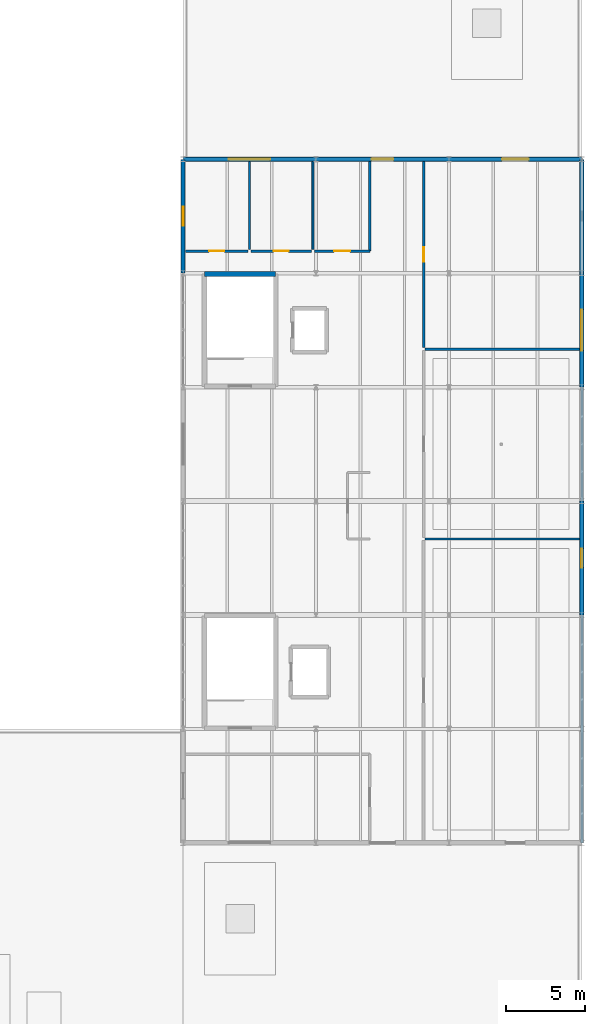
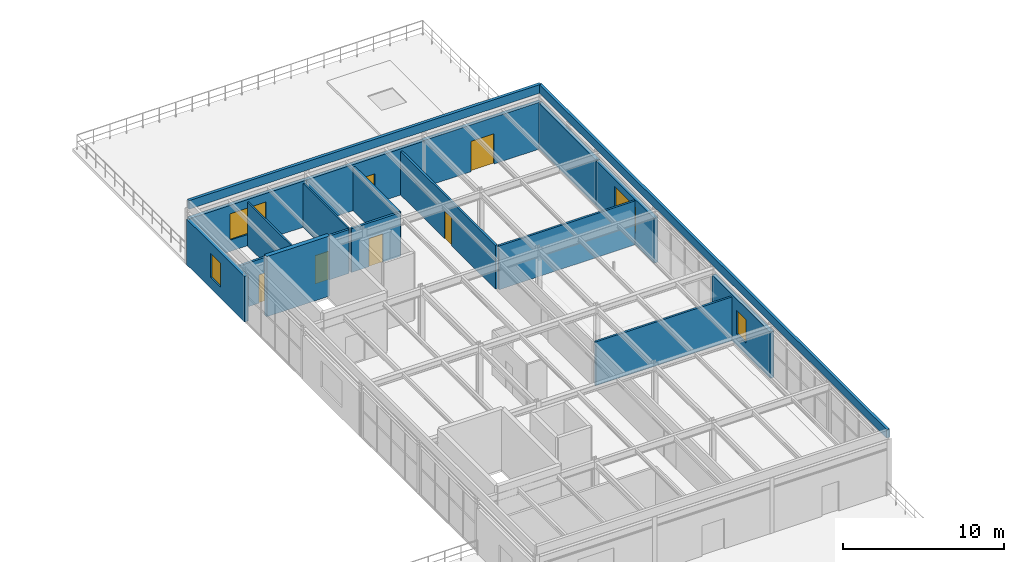
# One storey, part 75 of 77: 19 walls, 6 doors, 4 windows, 10 openings.
"""IFC4 building model written with IfcOpenShell, lengths in metres."""

from ifc_helpers import new_model, si_unit, derived_unit, direction, frame, frame_2d, origin, place, context, subcontext, project, spatial, rectangle, extrude, material, layer, layer_set, type_object, element, fill, save


model = new_model("IFC4")

# Units and contexts
model_context = context("Model", 3, precision=1e-05, world=origin(), true_north=direction((0.0, 1.0)))
body_context = subcontext(model_context, "Body", "Model", "MODEL_VIEW")
ifc_project = project(units=[si_unit("LENGTHUNIT", "METRE"), si_unit("AREAUNIT", "SQUARE_METRE"), si_unit("VOLUMEUNIT", "CUBIC_METRE"), si_unit("PLANEANGLEUNIT", "RADIAN"), si_unit("MASSUNIT", "GRAM", prefix="KILO"), derived_unit("THERMALTRANSMITTANCEUNIT", [(si_unit("MASSUNIT", "GRAM", prefix="KILO"), 1), (si_unit("TIMEUNIT", "SECOND"), -3), (si_unit("THERMODYNAMICTEMPERATUREUNIT", "KELVIN"), -1)])], contexts=[model_context])

# Site, building, storey
site_placement = place(None, origin())
site = spatial("IfcSite", under=ifc_project, at=site_placement, CompositionType="ELEMENT")
building_placement = place(site_placement, origin())
building = spatial("IfcBuilding", under=site, at=building_placement, Name="Kharveza Railside Sports Centre", CompositionType="ELEMENT")
storey_placement = place(building_placement, frame((0.0, 0.0, 17.10009765625)))
storey = spatial("IfcBuildingStorey", under=building, at=storey_placement, Name="L04", CompositionType="ELEMENT", Elevation=17.10009765625)

# Wall
ifc_material_1 = material(Name="Concrete C35/45", Category="concrete")
ifc_layer_1 = layer(ifc_material_1, 0.300048828125, Name="Concrete C35/45")
ifc_layer_set_1 = layer_set([ifc_layer_1], Name="Concrete C35/45")
wall_type_1 = type_object("IfcWallType", Name="WL-CR300", PredefinedType="SHEAR", material=ifc_layer_set_1)
wall_1_placement = place(storey_placement, frame((148.64990234375, 64.75, 0.0), z_axis=(0.0, 0.0, 1.0), x_axis=(-1.0, 0.0, 0.0)))
element("IfcWall", 1, at=wall_1_placement, inside=storey, type_object=wall_type_1, Name="WL-CORE-ST2-L04-N", PredefinedType="SHEAR", context=body_context, shape_type="SweptSolid", body=[
    extrude(rectangle(XDim=4.5, YDim=0.300048828125, at=frame_2d((2.25, 0.0))), origin(), (0.0, 0.0, 1.0), 4.559814453125),
])

# Wall, opening, window
ifc_material_2 = material(Name="Precast concrete C40/50", Category="concrete")
ifc_layer_2 = layer(ifc_material_2, 0.27001953125, Name="Precast concrete C40/50")
ifc_layer_set_2 = layer_set([ifc_layer_2], Name="Precast concrete C40/50")
wall_type_2 = type_object("IfcWallType", Name="WL-EX270", PredefinedType="STANDARD", material=ifc_layer_set_2)
wall_2_placement = place(storey_placement, frame((168.0, 43.199951171875, 0.0), z_axis=(0.0, 0.0, 1.0), x_axis=(0.0, 1.0, 0.0)))
wall_2 = element("IfcWall", 2, at=wall_2_placement, inside=storey, type_object=wall_type_2, Name="WL-EXT-L04-247", PredefinedType="STANDARD", context=body_context, shape_type="SweptSolid", body=[
    extrude(rectangle(XDim=7.199951171875, YDim=0.27001953125, at=frame_2d((3.60009765625, 0.0))), origin(), (0.0, 0.0, 1.0), 3.494873046875),
])
opening_1_placement = place(wall_2_placement, frame((3.0, 0.0, 0.85009765625)))
opening_1 = element("IfcOpeningElement", 3, at=opening_1_placement, cuts=wall_2, Name="Opening WN07", PredefinedType="OPENING", context=body_context, shape_type="SweptSolid", body=[
    extrude(rectangle(XDim=1.199951171875, YDim=1.800048828125, at=frame_2d((0.60009765625, 0.89990234375))), frame((0.0, 0.159912109375, 0.0), z_axis=(0.0, -1.0, 0.0), x_axis=(1.0, 0.0, 0.0)), (0.0, 0.0, 1.0), 0.31982421875),
])
ifc_material_3 = material(Name="Low-E solar-control laminated glass", Category="glass")
window_type_1 = type_object("IfcWindowType", Name="WN-F07", PartitioningType="SINGLE_PANEL", PredefinedType="WINDOW", material=ifc_material_3)
window_1_placement = place(opening_1_placement, origin())
window_1 = element("IfcWindow", 4, at=window_1_placement, inside=storey, type_object=window_type_1, Name="WN-EXT-L04-145", OverallHeight=1.800048828125, OverallWidth=1.199951171875, PartitioningType="SINGLE_PANEL", PredefinedType="WINDOW", context=body_context, shape_type="SweptSolid", body=[
    extrude(rectangle(XDim=1.199951171875, YDim=1.800048828125, at=frame_2d((0.60009765625, 0.89990234375))), frame((0.0, 0.030029296875, 0.0), z_axis=(0.0, -1.0, 0.0), x_axis=(1.0, 0.0, 0.0)), (0.0, 0.0, 1.0), 0.06005859375),
])
fill(opening_1, window_1)

wall_3_placement = place(storey_placement, frame((168.0, 57.60009765625, 0.0), z_axis=(0.0, 0.0, 1.0), x_axis=(0.0, 1.0, 0.0)))
wall_3 = element("IfcWall", 5, at=wall_3_placement, inside=storey, type_object=wall_type_2, Name="WL-EXT-L04-248", PredefinedType="STANDARD", context=body_context, shape_type="SweptSolid", body=[
    extrude(rectangle(XDim=7.199951171875, YDim=0.27001953125, at=frame_2d((3.60009765625, 0.0))), origin(), (0.0, 0.0, 1.0), 3.39501953125),
])
opening_2_placement = place(wall_3_placement, frame((2.300048828125, 0.0, 0.85009765625)))
opening_2 = element("IfcOpeningElement", 6, at=opening_2_placement, cuts=wall_3, Name="Opening WN16", PredefinedType="OPENING", context=body_context, shape_type="SweptSolid", body=[
    extrude(rectangle(XDim=2.60009765625, YDim=2.0, at=frame_2d((1.300048828125, 1.0))), frame((0.0, 0.159912109375, 0.0), z_axis=(0.0, -1.0, 0.0), x_axis=(1.0, 0.0, 0.0)), (0.0, 0.0, 1.0), 0.31982421875),
])
window_type_2 = type_object("IfcWindowType", Name="WN-F16", PartitioningType="SINGLE_PANEL", PredefinedType="WINDOW", material=ifc_material_3)
window_2_placement = place(opening_2_placement, origin())
window_2 = element("IfcWindow", 7, at=window_2_placement, inside=storey, type_object=window_type_2, Name="WN-EXT-L04-146", OverallHeight=2.0, OverallWidth=2.60009765625, PartitioningType="SINGLE_PANEL", PredefinedType="WINDOW", context=body_context, shape_type="SweptSolid", body=[
    extrude(rectangle(XDim=2.60009765625, YDim=2.0, at=frame_2d((1.300048828125, 1.0))), frame((0.0, 0.030029296875, 0.0), z_axis=(0.0, -1.0, 0.0), x_axis=(1.0, 0.0, 0.0)), (0.0, 0.0, 1.0), 0.06005859375),
])
fill(opening_2, window_2)

# Wall
wall_4_placement = place(storey_placement, frame((168.0, 64.800048828125, 0.0), z_axis=(0.0, 0.0, 1.0), x_axis=(0.0, 1.0, 0.0)))
element("IfcWall", 8, at=wall_4_placement, inside=storey, type_object=wall_type_2, Name="WL-EXT-L04-249", PredefinedType="STANDARD", context=body_context, shape_type="SweptSolid", body=[
    extrude(rectangle(XDim=7.199951171875, YDim=0.27001953125, at=frame_2d((3.60009765625, 0.0))), origin(), (0.0, 0.0, 1.0), 3.44482421875),
])

# Wall, opening, door
wall_5_placement = place(storey_placement, frame((168.0, 72.0, 0.0), z_axis=(0.0, 0.0, 1.0), x_axis=(-1.0, 0.0, 0.0)))
wall_5 = element("IfcWall", 9, at=wall_5_placement, inside=storey, type_object=wall_type_2, Name="WL-EXT-L04-250", PredefinedType="STANDARD", context=body_context, shape_type="SweptSolid", body=[
    extrude(rectangle(XDim=8.39990234375, YDim=0.27001953125, at=frame_2d((4.199951171875, 0.0))), origin(), (0.0, 0.0, 1.0), 3.544921875),
])
opening_3_placement = place(wall_5_placement, frame((3.360107421875, 0.0, 0.0)))
opening_3 = element("IfcOpeningElement", 10, at=opening_3_placement, cuts=wall_5, Name="Opening D33", PredefinedType="OPENING", context=body_context, shape_type="SweptSolid", body=[
    extrude(rectangle(XDim=1.679931640625, YDim=2.300048828125, at=frame_2d((0.83984375, 1.14990234375))), frame((0.0, 0.159912109375, 0.0), z_axis=(0.0, -1.0, 0.0), x_axis=(1.0, 0.0, 0.0)), (0.0, 0.0, 1.0), 0.31982421875),
])
ifc_material_4 = material(Name="Anodised aluminium 6063-T6", Category="aluminium")
door_type_1 = type_object("IfcDoorType", Name="DR-Z09", OperationType="NOTDEFINED", PredefinedType="DOOR", material=ifc_material_4)
door_1_placement = place(opening_3_placement, frame((1.679931640625, 0.0, 0.0), z_axis=(0.0, 0.0, 1.0), x_axis=(-1.0, 0.0, 0.0)))
door_1 = element("IfcDoor", 11, at=door_1_placement, inside=storey, type_object=door_type_1, Name="DR-TERR-L04-043", OperationType="SINGLE_SWING_LEFT", OverallHeight=2.300048828125, OverallWidth=1.679931640625, PredefinedType="DOOR", context=body_context, shape_type="SweptSolid", body=[
    extrude(rectangle(XDim=1.679931640625, YDim=2.300048828125, at=frame_2d((0.83984375, 1.14990234375))), frame((0.0, 0.02490234375, 0.0), z_axis=(0.0, -1.0, 0.0), x_axis=(1.0, 0.0, 0.0)), (0.0, 0.0, 1.0), 0.050048828125),
])
fill(opening_3, door_1)

wall_6_placement = place(storey_placement, frame((159.60009765625, 72.0, 0.0), z_axis=(0.0, 0.0, 1.0), x_axis=(-1.0, 0.0, 0.0)))
wall_6 = element("IfcWall", 12, at=wall_6_placement, inside=storey, type_object=wall_type_2, Name="WL-EXT-L04-251", PredefinedType="STANDARD", context=body_context, shape_type="SweptSolid", body=[
    extrude(rectangle(XDim=8.400146484375, YDim=0.27001953125, at=frame_2d((4.2001953125, 0.0))), origin(), (0.0, 0.0, 1.0), 3.494873046875),
])
opening_4_placement = place(wall_6_placement, frame((3.510009765625, 0.0, 0.0)))
opening_4 = element("IfcOpeningElement", 13, at=opening_4_placement, cuts=wall_6, Name="Opening D34", PredefinedType="OPENING", context=body_context, shape_type="SweptSolid", body=[
    extrude(rectangle(XDim=1.3798828125, YDim=2.25, at=frame_2d((0.68994140625, 1.125))), frame((0.0, 0.159912109375, 0.0), z_axis=(0.0, -1.0, 0.0), x_axis=(1.0, 0.0, 0.0)), (0.0, 0.0, 1.0), 0.31982421875),
])
door_type_2 = type_object("IfcDoorType", Name="DR-Z10", OperationType="NOTDEFINED", PredefinedType="DOOR", material=ifc_material_4)
door_2_placement = place(opening_4_placement, frame((1.3798828125, 0.0, 0.0), z_axis=(0.0, 0.0, 1.0), x_axis=(-1.0, 0.0, 0.0)))
door_2 = element("IfcDoor", 14, at=door_2_placement, inside=storey, type_object=door_type_2, Name="DR-TERR-L04-044", OperationType="SINGLE_SWING_RIGHT", OverallHeight=2.25, OverallWidth=1.3798828125, PredefinedType="DOOR", context=body_context, shape_type="SweptSolid", body=[
    extrude(rectangle(XDim=1.3798828125, YDim=2.25, at=frame_2d((0.68994140625, 1.125))), frame((0.0, 0.02490234375, 0.0), z_axis=(0.0, -1.0, 0.0), x_axis=(1.0, 0.0, 0.0)), (0.0, 0.0, 1.0), 0.050048828125),
])
fill(opening_4, door_2)

# Wall, opening, window
wall_7_placement = place(storey_placement, frame((151.199951171875, 72.0, 0.0), z_axis=(0.0, 0.0, 1.0), x_axis=(-1.0, 0.0, 0.0)))
wall_7 = element("IfcWall", 15, at=wall_7_placement, inside=storey, type_object=wall_type_2, Name="WL-EXT-L04-252", PredefinedType="STANDARD", context=body_context, shape_type="SweptSolid", body=[
    extrude(rectangle(XDim=8.39990234375, YDim=0.27001953125, at=frame_2d((4.199951171875, 0.0))), origin(), (0.0, 0.0, 1.0), 3.494873046875),
])
opening_5_placement = place(wall_7_placement, frame((2.89990234375, 0.0, 0.85009765625)))
opening_5 = element("IfcOpeningElement", 16, at=opening_5_placement, cuts=wall_7, Name="Opening WN16", PredefinedType="OPENING", context=body_context, shape_type="SweptSolid", body=[
    extrude(rectangle(XDim=2.60009765625, YDim=2.0, at=frame_2d((1.300048828125, 1.0))), frame((0.0, 0.159912109375, 0.0), z_axis=(0.0, -1.0, 0.0), x_axis=(1.0, 0.0, 0.0)), (0.0, 0.0, 1.0), 0.31982421875),
])
window_3_placement = place(opening_5_placement, origin())
window_3 = element("IfcWindow", 17, at=window_3_placement, inside=storey, type_object=window_type_2, Name="WN-EXT-L04-147", OverallHeight=2.0, OverallWidth=2.60009765625, PartitioningType="SINGLE_PANEL", PredefinedType="WINDOW", context=body_context, shape_type="SweptSolid", body=[
    extrude(rectangle(XDim=2.60009765625, YDim=2.0, at=frame_2d((1.300048828125, 1.0))), frame((0.0, 0.030029296875, 0.0), z_axis=(0.0, -1.0, 0.0), x_axis=(1.0, 0.0, 0.0)), (0.0, 0.0, 1.0), 0.06005859375),
])
fill(opening_5, window_3)

wall_8_placement = place(storey_placement, frame((142.800048828125, 72.0, 0.0), z_axis=(0.0, 0.0, 1.0), x_axis=(0.0, -1.0, 0.0)))
wall_8 = element("IfcWall", 18, at=wall_8_placement, inside=storey, type_object=wall_type_2, Name="WL-EXT-L04-253", PredefinedType="STANDARD", context=body_context, shape_type="SweptSolid", body=[
    extrude(rectangle(XDim=7.199951171875, YDim=0.27001953125, at=frame_2d((3.60009765625, 0.0))), origin(), (0.0, 0.0, 1.0), 3.44482421875),
])
opening_6_placement = place(wall_8_placement, frame((3.0, 0.0, 0.85009765625)))
opening_6 = element("IfcOpeningElement", 19, at=opening_6_placement, cuts=wall_8, Name="Opening WN07", PredefinedType="OPENING", context=body_context, shape_type="SweptSolid", body=[
    extrude(rectangle(XDim=1.199951171875, YDim=1.800048828125, at=frame_2d((0.60009765625, 0.89990234375))), frame((0.0, 0.159912109375, 0.0), z_axis=(0.0, -1.0, 0.0), x_axis=(1.0, 0.0, 0.0)), (0.0, 0.0, 1.0), 0.31982421875),
])
window_4_placement = place(opening_6_placement, origin())
window_4 = element("IfcWindow", 20, at=window_4_placement, inside=storey, type_object=window_type_1, Name="WN-EXT-L04-148", OverallHeight=1.800048828125, OverallWidth=1.199951171875, PartitioningType="SINGLE_PANEL", PredefinedType="WINDOW", context=body_context, shape_type="SweptSolid", body=[
    extrude(rectangle(XDim=1.199951171875, YDim=1.800048828125, at=frame_2d((0.60009765625, 0.89990234375))), frame((0.0, 0.030029296875, 0.0), z_axis=(0.0, -1.0, 0.0), x_axis=(1.0, 0.0, 0.0)), (0.0, 0.0, 1.0), 0.06005859375),
])
fill(opening_6, window_4)

# Walls
ifc_layer_3 = layer(ifc_material_1, 0.18994140625, Name="Concrete C35/45")
ifc_layer_set_3 = layer_set([ifc_layer_3], Name="Concrete C35/45")
wall_type_3 = type_object("IfcWallType", Name="WL-PR190", PredefinedType="PARAPET", material=ifc_layer_set_3)
wall_9_placement = place(storey_placement, frame((168.0, 28.800048828125, 4.199951171875), z_axis=(0.0, 0.0, 1.0), x_axis=(0.0, 1.0, 0.0)))
element("IfcWall", 21, at=wall_9_placement, inside=storey, type_object=wall_type_3, Name="WL-PARAP-RF-2", PredefinedType="PARAPET", context=body_context, shape_type="SweptSolid", body=[
    extrude(rectangle(XDim=43.199951171875, YDim=0.18994140625, at=frame_2d((21.60009765625, 0.0))), origin(), (0.0, 0.0, 1.0), 0.64990234375),
])
ifc_layer_4 = layer(ifc_material_2, 0.2099609375, Name="Precast concrete C40/50")
ifc_layer_set_4 = layer_set([ifc_layer_4], Name="Precast concrete C40/50")
wall_type_4 = type_object("IfcWallType", Name="WL-PR210", PredefinedType="PARAPET", material=ifc_layer_set_4)
wall_10_placement = place(storey_placement, frame((168.0, 72.0, 4.199951171875), z_axis=(0.0, 0.0, 1.0), x_axis=(-1.0, 0.0, 0.0)))
element("IfcWall", 22, at=wall_10_placement, inside=storey, type_object=wall_type_4, Name="WL-PARAP-RF-3", PredefinedType="PARAPET", context=body_context, shape_type="SweptSolid", body=[
    extrude(rectangle(XDim=25.199951171875, YDim=0.2099609375, at=frame_2d((12.60009765625, 0.0))), origin(), (0.0, 0.0, 1.0), 0.64990234375),
])
ifc_material_5 = material(Name="Gypsum board acoustic stud partition")
ifc_layer_5 = layer(ifc_material_5, 0.114990234375, Name="Gypsum board acoustic stud partition")
ifc_layer_set_5 = layer_set([ifc_layer_5], Name="Gypsum board acoustic stud partition")
wall_type_5 = type_object("IfcWallType", Name="WL-PT115", PredefinedType="PARTITIONING", material=ifc_layer_set_5)
for number, where, z_axis, x_axis, name in (
    (23, (147.0, 66.300048828125, 0.0), (0.0, 0.0, 1.0), (0.0, 1.0, 0.0), "WL-INT-L04-129"),
    (24, (151.0, 66.300048828125, 0.0), (0.0, 0.0, 1.0), (0.0, 1.0, 0.0), "WL-INT-L04-130"),
):
    element("IfcWall", number, at=place(storey_placement, frame(where, z_axis=z_axis, x_axis=x_axis)), inside=storey, type_object=wall_type_5, Name=name, PredefinedType="PARTITIONING", context=body_context, shape_type="SweptSolid", body=[
        extrude(rectangle(XDim=5.550048828125, YDim=0.114990234375, at=frame_2d((2.77490234375, 0.0))), origin(), (0.0, 0.0, 1.0), 3.31982421875),
    ])

# Wall, opening, door
ifc_layer_6 = layer(ifc_material_5, 0.14501953125, Name="Gypsum board acoustic stud partition")
ifc_layer_set_6 = layer_set([ifc_layer_6], Name="Gypsum board acoustic stud partition")
wall_type_6 = type_object("IfcWallType", Name="WL-PT145", PredefinedType="PARTITIONING", material=ifc_layer_set_6)
wall_11_placement = place(storey_placement, frame((158.0, 60.10009765625, 0.0), z_axis=(0.0, 0.0, 1.0), x_axis=(0.0, 1.0, 0.0)))
wall_11 = element("IfcWall", 25, at=wall_11_placement, inside=storey, type_object=wall_type_6, Name="WL-INT-L04-121", PredefinedType="PARTITIONING", context=body_context, shape_type="SweptSolid", body=[
    extrude(rectangle(XDim=11.75, YDim=0.14501953125, at=frame_2d((5.875, 0.0))), origin(), (0.0, 0.0, 1.0), 3.31982421875),
])
opening_7_placement = place(wall_11_placement, frame((5.425048828125, 0.0, 0.0)))
opening_7 = element("IfcOpeningElement", 26, at=opening_7_placement, cuts=wall_11, Name="Opening D20", PredefinedType="OPENING", context=body_context, shape_type="SweptSolid", body=[
    extrude(rectangle(XDim=0.89990234375, YDim=2.10009765625, at=frame_2d((0.449951171875, 1.050048828125))), frame((0.0, 0.097412109375, 0.0), z_axis=(0.0, -1.0, 0.0), x_axis=(1.0, 0.0, 0.0)), (0.0, 0.0, 1.0), 0.19482421875),
])
ifc_material_6 = material(Name="Fire-rated hardwood door leaf", Category="wood")
door_type_3 = type_object("IfcDoorType", Name="DR-IN08", OperationType="NOTDEFINED", PredefinedType="DOOR", material=ifc_material_6)
door_3_placement = place(opening_7_placement, origin())
door_3 = element("IfcDoor", 27, at=door_3_placement, inside=storey, type_object=door_type_3, Name="DR-INT-L04-067", OperationType="SINGLE_SWING_RIGHT", OverallHeight=2.10009765625, OverallWidth=0.89990234375, PredefinedType="DOOR", context=body_context, shape_type="SweptSolid", body=[
    extrude(rectangle(XDim=0.89990234375, YDim=2.10009765625, at=frame_2d((0.449951171875, 1.050048828125))), frame((0.0, 0.02490234375, 0.0), z_axis=(0.0, -1.0, 0.0), x_axis=(1.0, 0.0, 0.0)), (0.0, 0.0, 1.0), 0.050048828125),
])
fill(opening_7, door_3)

# Walls
for number, where, z_axis, x_axis, name in (
    (28, (158.10009765625, 48.0, 0.0), (0.0, 0.0, 1.0), (1.0, 0.0, 0.0), "WL-INT-L04-122"),
    (29, (158.10009765625, 60.0, 0.0), (0.0, 0.0, 1.0), (1.0, 0.0, 0.0), "WL-INT-L04-123"),
):
    element("IfcWall", number, at=place(storey_placement, frame(where, z_axis=z_axis, x_axis=x_axis)), inside=storey, type_object=wall_type_6, Name=name, PredefinedType="PARTITIONING", context=body_context, shape_type="SweptSolid", body=[
        extrude(rectangle(XDim=9.75, YDim=0.14501953125, at=frame_2d((4.875, 0.0))), origin(), (0.0, 0.0, 1.0), 3.31982421875),
    ])

# Wall, opening, door
ifc_layer_7 = layer(ifc_material_1, 0.159912109375, Name="Concrete C35/45")
ifc_layer_set_7 = layer_set([ifc_layer_7], Name="Concrete C35/45")
wall_type_7 = type_object("IfcWallType", Name="WL-PT160", PredefinedType="PARTITIONING", material=ifc_layer_set_7)
wall_12_placement = place(storey_placement, frame((142.949951171875, 66.199951171875, 0.0), z_axis=(0.0, 0.0, 1.0), x_axis=(1.0, 0.0, 0.0)))
wall_12 = element("IfcWall", 30, at=wall_12_placement, inside=storey, type_object=wall_type_7, Name="WL-INT-L04-126", PredefinedType="PARTITIONING", context=body_context, shape_type="SweptSolid", body=[
    extrude(rectangle(XDim=3.949951171875, YDim=0.159912109375, at=frame_2d((1.97509765625, 0.0))), origin(), (0.0, 0.0, 1.0), 3.31982421875),
])
opening_8_placement = place(wall_12_placement, frame((1.5, 0.0, 0.0)))
opening_8 = element("IfcOpeningElement", 31, at=opening_8_placement, cuts=wall_12, Name="Opening D19", PredefinedType="OPENING", context=body_context, shape_type="SweptSolid", body=[
    extrude(rectangle(XDim=0.949951171875, YDim=2.14990234375, at=frame_2d((0.47509765625, 1.074951171875))), frame((0.0, 0.10498046875, 0.0), z_axis=(0.0, -1.0, 0.0), x_axis=(1.0, 0.0, 0.0)), (0.0, 0.0, 1.0), 0.209716796875),
])
door_type_4 = type_object("IfcDoorType", Name="DR-IN07", OperationType="NOTDEFINED", PredefinedType="DOOR", material=ifc_material_6)
door_4_placement = place(opening_8_placement, frame((0.949951171875, 0.0, 0.0), z_axis=(0.0, 0.0, 1.0), x_axis=(-1.0, 0.0, 0.0)))
door_4 = element("IfcDoor", 32, at=door_4_placement, inside=storey, type_object=door_type_4, Name="DR-INT-L04-069", OperationType="SINGLE_SWING_RIGHT", OverallHeight=2.14990234375, OverallWidth=0.949951171875, PredefinedType="DOOR", context=body_context, shape_type="SweptSolid", body=[
    extrude(rectangle(XDim=0.949951171875, YDim=2.14990234375, at=frame_2d((0.47509765625, 1.074951171875))), frame((0.0, 0.02490234375, 0.0), z_axis=(0.0, -1.0, 0.0), x_axis=(1.0, 0.0, 0.0)), (0.0, 0.0, 1.0), 0.050048828125),
])
fill(opening_8, door_4)

wall_13_placement = place(storey_placement, frame((147.10009765625, 66.199951171875, 0.0), z_axis=(0.0, 0.0, 1.0), x_axis=(1.0, 0.0, 0.0)))
wall_13 = element("IfcWall", 33, at=wall_13_placement, inside=storey, type_object=wall_type_7, Name="WL-INT-L04-127", PredefinedType="PARTITIONING", context=body_context, shape_type="SweptSolid", body=[
    extrude(rectangle(XDim=3.7998046875, YDim=0.159912109375, at=frame_2d((1.89990234375, 0.0))), origin(), (0.0, 0.0, 1.0), 3.31982421875),
])
opening_9_placement = place(wall_13_placement, frame((1.425048828125, 0.0, 0.0)))
opening_9 = element("IfcOpeningElement", 34, at=opening_9_placement, cuts=wall_13, Name="Opening D19", PredefinedType="OPENING", context=body_context, shape_type="SweptSolid", body=[
    extrude(rectangle(XDim=0.949951171875, YDim=2.14990234375, at=frame_2d((0.47509765625, 1.074951171875))), frame((0.0, 0.10498046875, 0.0), z_axis=(0.0, -1.0, 0.0), x_axis=(1.0, 0.0, 0.0)), (0.0, 0.0, 1.0), 0.209716796875),
])
door_5_placement = place(opening_9_placement, origin())
door_5 = element("IfcDoor", 35, at=door_5_placement, inside=storey, type_object=door_type_4, Name="DR-INT-L04-070", OperationType="SINGLE_SWING_LEFT", OverallHeight=2.14990234375, OverallWidth=0.949951171875, PredefinedType="DOOR", context=body_context, shape_type="SweptSolid", body=[
    extrude(rectangle(XDim=0.949951171875, YDim=2.14990234375, at=frame_2d((0.47509765625, 1.074951171875))), frame((0.0, 0.02490234375, 0.0), z_axis=(0.0, -1.0, 0.0), x_axis=(1.0, 0.0, 0.0)), (0.0, 0.0, 1.0), 0.050048828125),
])
fill(opening_9, door_5)

wall_14_placement = place(storey_placement, frame((151.10009765625, 66.199951171875, 0.0), z_axis=(0.0, 0.0, 1.0), x_axis=(1.0, 0.0, 0.0)))
wall_14 = element("IfcWall", 36, at=wall_14_placement, inside=storey, type_object=wall_type_7, Name="WL-INT-L04-128", PredefinedType="PARTITIONING", context=body_context, shape_type="SweptSolid", body=[
    extrude(rectangle(XDim=3.5, YDim=0.159912109375, at=frame_2d((1.75, 0.0))), origin(), (0.0, 0.0, 1.0), 3.31982421875),
])
opening_10_placement = place(wall_14_placement, frame((1.25, 0.0, 0.0)))
opening_10 = element("IfcOpeningElement", 37, at=opening_10_placement, cuts=wall_14, Name="Opening D18", PredefinedType="OPENING", context=body_context, shape_type="SweptSolid", body=[
    extrude(rectangle(XDim=1.0, YDim=2.14990234375, at=frame_2d((0.5, 1.074951171875))), frame((0.0, 0.10498046875, 0.0), z_axis=(0.0, -1.0, 0.0), x_axis=(1.0, 0.0, 0.0)), (0.0, 0.0, 1.0), 0.209716796875),
])
door_type_5 = type_object("IfcDoorType", Name="DR-IN06", OperationType="NOTDEFINED", PredefinedType="DOOR", material=ifc_material_6)
door_6_placement = place(opening_10_placement, origin())
door_6 = element("IfcDoor", 38, at=door_6_placement, inside=storey, type_object=door_type_5, Name="DR-INT-L04-071", OperationType="SINGLE_SWING_RIGHT", OverallHeight=2.14990234375, OverallWidth=1.0, PredefinedType="DOOR", context=body_context, shape_type="SweptSolid", body=[
    extrude(rectangle(XDim=1.0, YDim=2.14990234375, at=frame_2d((0.5, 1.074951171875))), frame((0.0, 0.02490234375, 0.0), z_axis=(0.0, -1.0, 0.0), x_axis=(1.0, 0.0, 0.0)), (0.0, 0.0, 1.0), 0.050048828125),
])
fill(opening_10, door_6)

# Wall
wall_15_placement = place(storey_placement, frame((154.60009765625, 66.199951171875, 0.0), z_axis=(0.0, 0.0, 1.0), x_axis=(0.0, 1.0, 0.0)))
element("IfcWall", 39, at=wall_15_placement, inside=storey, type_object=wall_type_7, Name="WL-INT-L04-131", PredefinedType="PARTITIONING", context=body_context, shape_type="SweptSolid", body=[
    extrude(rectangle(XDim=5.650146484375, YDim=0.159912109375, at=frame_2d((2.8251953125, 0.0))), origin(), (0.0, 0.0, 1.0), 3.31982421875),
])

save(model, "model.ifc")
